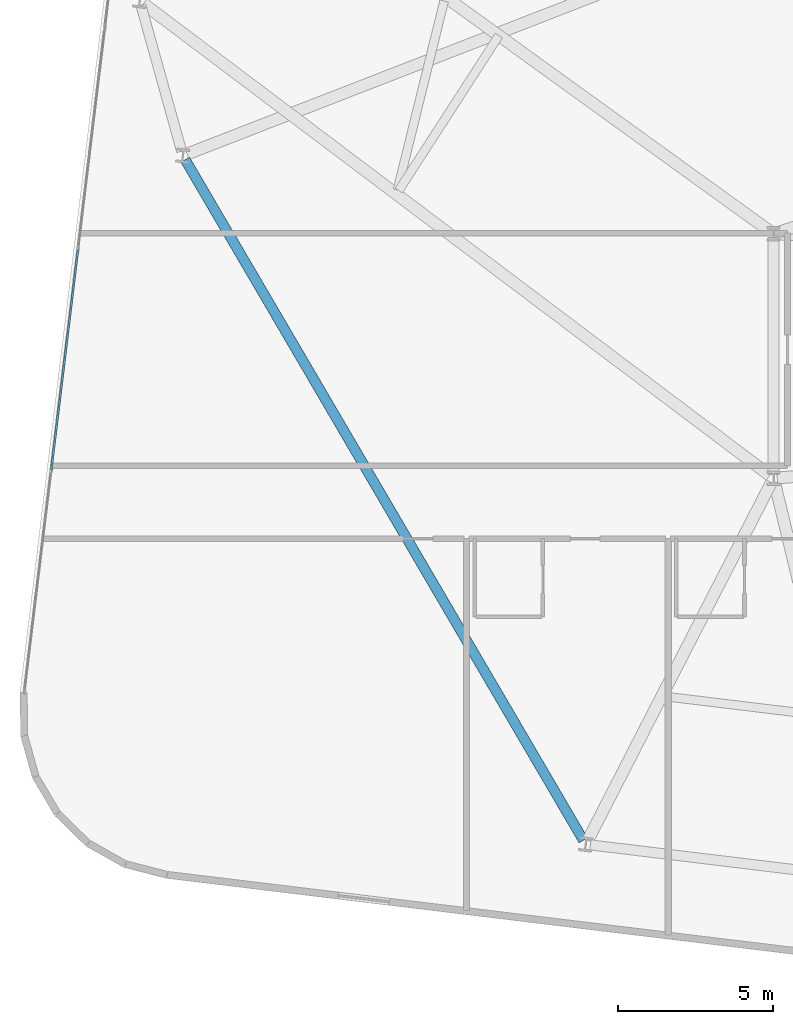
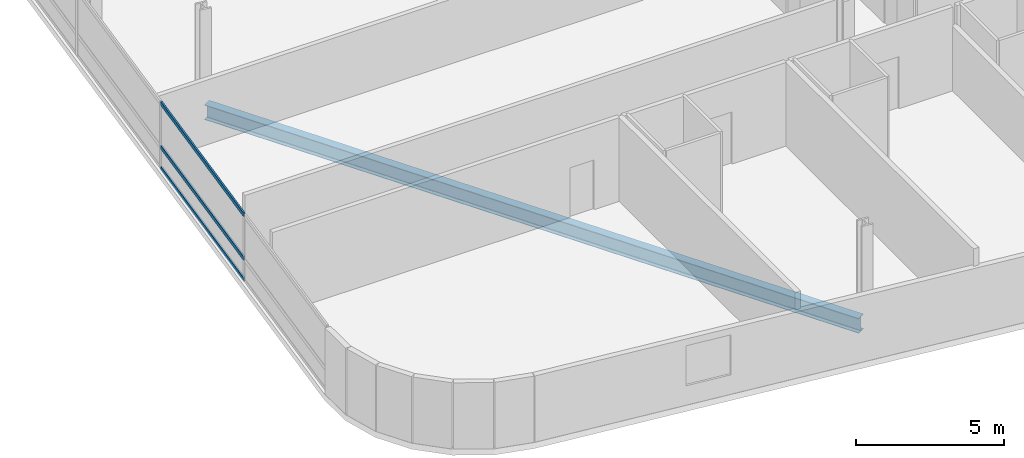
# One storey, part 5 of 26: 3 members, 1 beam, 1 element without a shape of its own.
"""IFC4 building model written with IfcOpenShell, lengths in metres."""

from ifc_helpers import new_model, si_unit, direction, frame, origin, origin_2d, place, context, subcontext, project, spatial, hollow_rectangle, i_section, extrude, material, layer, layer_set, material_profile, profile_set, type_object, element, aggregate, save


model = new_model("IFC4")

# Units and contexts
model_context = context("Model", 3, precision=1e-05, world=origin(), true_north=direction((0.0, 1.0)))
body_context = subcontext(model_context, "Body", "Model", "MODEL_VIEW")
ifc_project = project(units=[si_unit("LENGTHUNIT", "METRE"), si_unit("AREAUNIT", "SQUARE_METRE"), si_unit("VOLUMEUNIT", "CUBIC_METRE"), si_unit("PLANEANGLEUNIT", "RADIAN"), si_unit("MASSUNIT", "GRAM", prefix="KILO")], contexts=[model_context])

# Site, building, storey
site_placement = place(None, origin())
site = spatial("IfcSite", under=ifc_project, at=site_placement, CompositionType="ELEMENT")
building_placement = place(site_placement, origin())
building = spatial("IfcBuilding", under=site, at=building_placement, Name="Varnelok Gate Tower", CompositionType="ELEMENT")
storey_placement = place(building_placement, frame((0.0, 0.0, 129.10009765625)))
storey = spatial("IfcBuildingStorey", under=building, at=storey_placement, Name="L32", CompositionType="ELEMENT", Elevation=129.10009765625)

# Beam
ifc_material_1 = material(Name="Structural Steel ASTM A992 Grade 50", Category="steel")
ifc_material_profile_1 = material_profile(ifc_material_1, i_section(OverallWidth=0.323974609375, OverallDepth=0.611083984375, WebThickness=0.0126953125, FlangeThickness=0.01904296875, FilletRadius=0.01806640625, at=origin_2d()), Name="W24X104")
ifc_profile_set_1 = profile_set([ifc_material_profile_1], Name="Structural Steel ASTM A992 Grade 50")
beam_type = type_object("IfcBeamType", Name="BM-SPN-W24X104", PredefinedType="SPANDREL", material=ifc_profile_set_1)
beam_placement = place(storey_placement, frame((5.43115234375, 29.072021484375, -0.5556640625), z_axis=(0.504960797965, -0.863142278259, 0.0), x_axis=(0.863142278259, 0.504960797965, 0.0)))
element("IfcBeam", 1, at=beam_placement, inside=storey, type_object=beam_type, Name="L32 Perimeter Spandrel Beam 16", PredefinedType="SPANDREL", context=body_context, shape_type="SweptSolid", body=[
    extrude(i_section(OverallWidth=0.323974609375, OverallDepth=0.611083984375, WebThickness=0.0126953125, FlangeThickness=0.01904296875, FilletRadius=0.01806640625, at=origin_2d()), origin(), (0.0, 0.0, 1.0), 25.425537109375),
])

# Curtain wall, members
ifc_material_2 = material(Name="Anodized Aluminum Alloy 6063-T6", Category="aluminium")
ifc_layer = layer(ifc_material_2, 0.179931640625)
ifc_layer_set = layer_set([ifc_layer], Name="Anodized Aluminum Alloy 6063-T6")
curtain_wall_type = type_object("IfcCurtainWallType", Name="CW3-HOTEL-VISION", PredefinedType="USERDEFINED", material=ifc_layer_set)
curtain_wall_placement = place(storey_placement, origin())
curtain_wall = element("IfcCurtainWall", 2, at=curtain_wall_placement, inside=storey, type_object=curtain_wall_type, Name="L32 West End Vision Curtain Wall", ObjectType="UNITISED CURTAIN WALL", PredefinedType="USERDEFINED")
ifc_material_profile_2 = material_profile(ifc_material_2, hollow_rectangle(XDim=0.06494140625, YDim=0.159912109375, WallThickness=0.00390625, at=origin_2d()), Name="ALU160X65X4")
ifc_profile_set_2 = profile_set([ifc_material_profile_2], Name="Anodized Aluminum Alloy 6063-T6")
member_type = type_object("IfcMemberType", Name="CW-TRAN-160", PredefinedType="USERDEFINED", material=ifc_profile_set_2)
member_1_placement = place(storey_placement, frame((1.113525390625, 19.07080078125, 0.032470703125), z_axis=(0.120344652138, 0.992732171687, 0.0), x_axis=(-0.992732171687, 0.120344652138, 0.0)))
member_1 = element("IfcMember", 3, at=member_1_placement, type_object=member_type, Name="CW3 transom 2.1", ObjectType="TRANSOM", PredefinedType="USERDEFINED", context=body_context, shape_type="SweptSolid", body=[
    extrude(hollow_rectangle(XDim=0.06494140625, YDim=0.159912109375, WallThickness=0.00390625, at=origin_2d()), origin(), (0.0, 0.0, 1.0), 7.134765625),
])
member_2_placement = place(storey_placement, frame((1.113525390625, 19.07080078125, 0.89990234375), z_axis=(0.120344652138, 0.992732171687, 0.0), x_axis=(-0.992732171687, 0.120344652138, 0.0)))
member_2 = element("IfcMember", 4, at=member_2_placement, type_object=member_type, Name="CW3 transom 2.2", ObjectType="TRANSOM", PredefinedType="USERDEFINED", context=body_context, shape_type="SweptSolid", body=[
    extrude(hollow_rectangle(XDim=0.06494140625, YDim=0.159912109375, WallThickness=0.00390625, at=origin_2d()), origin(), (0.0, 0.0, 1.0), 7.134765625),
])
member_3_placement = place(storey_placement, frame((1.113525390625, 19.07080078125, 2.697509765625), z_axis=(0.120344652138, 0.992732171687, 0.0), x_axis=(-0.992732171687, 0.120344652138, 0.0)))
member_3 = element("IfcMember", 5, at=member_3_placement, type_object=member_type, Name="CW3 transom 2.3", ObjectType="TRANSOM", PredefinedType="USERDEFINED", context=body_context, shape_type="SweptSolid", body=[
    extrude(hollow_rectangle(XDim=0.06494140625, YDim=0.159912109375, WallThickness=0.00390625, at=origin_2d()), origin(), (0.0, 0.0, 1.0), 7.134765625),
])
aggregate(curtain_wall, [member_1, member_2, member_3])

save(model, "model.ifc")
